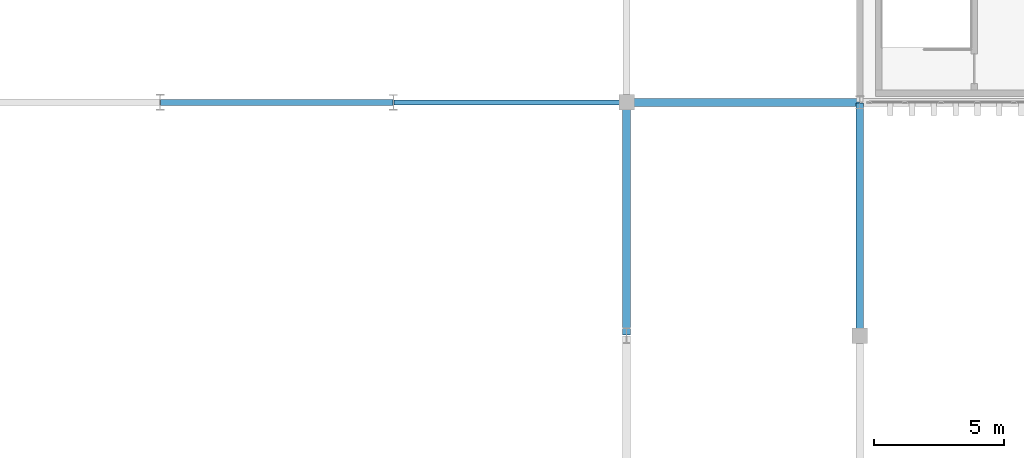
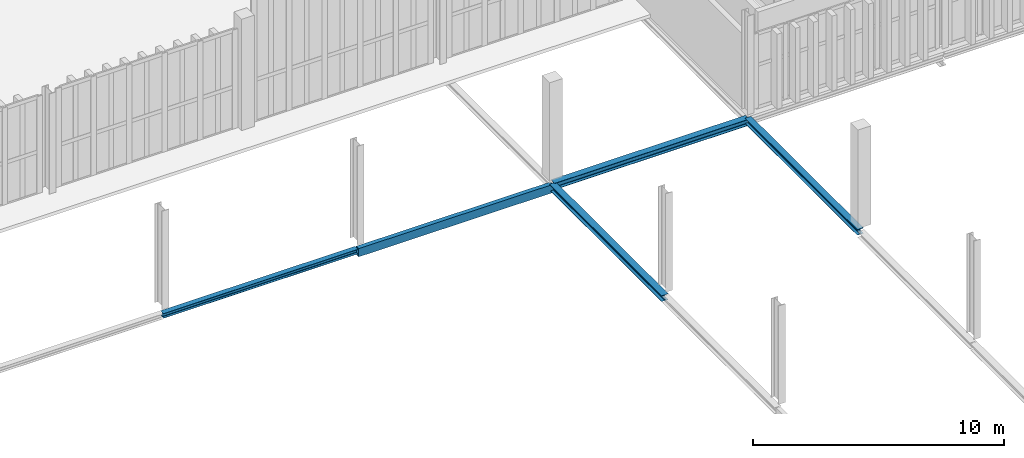
# One storey, part 21 of 196: 5 beams.
"""IFC4 building model written with IfcOpenShell, lengths in metres."""

from ifc_helpers import new_model, si_unit, direction, frame, origin, origin_2d, place, context, subcontext, project, spatial, hollow_rectangle, i_section, extrude, material, material_profile, profile_set, type_object, element, save


model = new_model("IFC4")

# Units and contexts
model_context = context("Model", 3, precision=1e-05, world=origin(), true_north=direction((0.0, 1.0)))
body_context = subcontext(model_context, "Body", "Model", "MODEL_VIEW")
ifc_project = project(units=[si_unit("LENGTHUNIT", "METRE"), si_unit("AREAUNIT", "SQUARE_METRE"), si_unit("VOLUMEUNIT", "CUBIC_METRE"), si_unit("PLANEANGLEUNIT", "RADIAN"), si_unit("MASSUNIT", "GRAM", prefix="KILO")], contexts=[model_context])

# Site, building, storey
site_placement = place(None, origin())
site = spatial("IfcSite", under=ifc_project, at=site_placement, CompositionType="ELEMENT")
building_placement = place(site_placement, origin())
building = spatial("IfcBuilding", under=site, at=building_placement, Name="Barlavento Convention Centre", CompositionType="ELEMENT")
storey_placement = place(building_placement, frame((0.0, 0.0, 18.0)))
storey = spatial("IfcBuildingStorey", under=building, at=storey_placement, Name="L03", CompositionType="ELEMENT", Elevation=18.0)

# Beams
ifc_material = material(Name="Steel S355", Category="steel")
ifc_material_profile_1 = material_profile(ifc_material, i_section(OverallWidth=0.239990234375, OverallDepth=0.22998046875, WebThickness=0.007568359375, FlangeThickness=0.011962890625, FilletRadius=0.02099609375, at=origin_2d()), Name="HEA 240")
ifc_profile_set_1 = profile_set([ifc_material_profile_1], Name="Steel S355")
beam_type_1 = type_object("IfcBeamType", Name="STR-BM-SPN-HEA240", PredefinedType="SPANDREL", material=ifc_profile_set_1)
beam_1_placement = place(storey_placement, frame((36.02001953125, 45.0, -0.47509765625), z_axis=(1.0, 0.0, 0.0), x_axis=(0.0, 1.0, 0.0)))
element("IfcBeam", 1, at=beam_1_placement, inside=storey, type_object=beam_type_1, Name="L03 primary girder SP05", PredefinedType="SPANDREL", context=body_context, shape_type="SweptSolid", body=[
    extrude(i_section(OverallWidth=0.239990234375, OverallDepth=0.22998046875, WebThickness=0.007568359375, FlangeThickness=0.011962890625, FilletRadius=0.02099609375, at=origin_2d()), origin(), (0.0, 0.0, 1.0), 8.9599609375),
])
ifc_material_profile_2 = material_profile(ifc_material, i_section(OverallWidth=0.280029296875, OverallDepth=0.27001953125, WebThickness=0.008056640625, FlangeThickness=0.012939453125, FilletRadius=0.02392578125, at=origin_2d()), Name="HEA 280")
ifc_profile_set_2 = profile_set([ifc_material_profile_2], Name="Steel S355")
beam_type_2 = type_object("IfcBeamType", Name="STR-BM-SPN-HEA280", PredefinedType="SPANDREL", material=ifc_profile_set_2)
beam_2_placement = place(storey_placement, frame((63.0, 36.02001953125, -0.43505859375), z_axis=(0.0, 1.0, 0.0), x_axis=(-1.0, 0.0, 0.0)))
element("IfcBeam", 2, at=beam_2_placement, inside=storey, type_object=beam_type_2, Name="L03 grid girder SP03", PredefinedType="SPANDREL", context=body_context, shape_type="SweptSolid", body=[
    extrude(i_section(OverallWidth=0.280029296875, OverallDepth=0.27001953125, WebThickness=0.008056640625, FlangeThickness=0.012939453125, FilletRadius=0.02392578125, at=origin_2d()), origin(), (0.0, 0.0, 1.0), 8.9599609375),
])
ifc_material_profile_3 = material_profile(ifc_material, i_section(OverallWidth=0.300048828125, OverallDepth=0.2900390625, WebThickness=0.008544921875, FlangeThickness=0.013916015625, FilletRadius=0.027099609375, at=origin_2d()), Name="HEA 300")
ifc_profile_set_3 = profile_set([ifc_material_profile_3], Name="Steel S355")
beam_type_3 = type_object("IfcBeamType", Name="STR-BM-SPN-HEA300", PredefinedType="SPANDREL", material=ifc_profile_set_3)
beam_3_placement = place(storey_placement, frame((54.0, 36.02001953125, -0.5048828125), z_axis=(0.0, 1.0, 0.0), x_axis=(-1.0, 0.0, 0.0)))
element("IfcBeam", 3, at=beam_3_placement, inside=storey, type_object=beam_type_3, Name="L03 grid girder SP02", PredefinedType="SPANDREL", context=body_context, shape_type="SweptSolid", body=[
    extrude(i_section(OverallWidth=0.300048828125, OverallDepth=0.2900390625, WebThickness=0.008544921875, FlangeThickness=0.013916015625, FilletRadius=0.027099609375, at=origin_2d()), origin(), (0.0, 0.0, 1.0), 8.9599609375),
])
ifc_material_profile_4 = material_profile(ifc_material, i_section(OverallWidth=0.300048828125, OverallDepth=0.31005859375, WebThickness=0.009033203125, FlangeThickness=0.015380859375, FilletRadius=0.027099609375, at=origin_2d()), Name="HEA 320")
ifc_profile_set_4 = profile_set([ifc_material_profile_4], Name="Steel S355")
beam_type_4 = type_object("IfcBeamType", Name="STR-BM-SPN-HEA320", PredefinedType="SPANDREL", material=ifc_profile_set_4)
beam_4_placement = place(storey_placement, frame((54.02001953125, 45.0, -0.455078125), z_axis=(1.0, 0.0, 0.0), x_axis=(0.0, 1.0, 0.0)))
element("IfcBeam", 4, at=beam_4_placement, inside=storey, type_object=beam_type_4, Name="L03 primary girder SP01", PredefinedType="SPANDREL", context=body_context, shape_type="SweptSolid", body=[
    extrude(i_section(OverallWidth=0.300048828125, OverallDepth=0.31005859375, WebThickness=0.009033203125, FlangeThickness=0.015380859375, FilletRadius=0.027099609375, at=origin_2d()), origin(), (0.0, 0.0, 1.0), 8.9599609375),
])
ifc_material_profile_5 = material_profile(ifc_material, hollow_rectangle(XDim=0.199951171875, YDim=0.39990234375, WallThickness=0.01611328125, at=origin_2d()), Name="RHS 400x200x16.0")
ifc_profile_set_5 = profile_set([ifc_material_profile_5], Name="Steel S355")
beam_type_5 = type_object("IfcBeamType", Name="STR-BM-SPN-RHS400", PredefinedType="SPANDREL", material=ifc_profile_set_5)
beam_5_placement = place(storey_placement, frame((45.02001953125, 45.0, -0.56005859375), z_axis=(1.0, 0.0, 0.0), x_axis=(0.0, 1.0, 0.0)))
element("IfcBeam", 5, at=beam_5_placement, inside=storey, type_object=beam_type_5, Name="L03 primary girder SP06", PredefinedType="SPANDREL", context=body_context, shape_type="SweptSolid", body=[
    extrude(hollow_rectangle(XDim=0.199951171875, YDim=0.39990234375, WallThickness=0.01611328125, at=origin_2d()), origin(), (0.0, 0.0, 1.0), 8.9599609375),
])

save(model, "model.ifc")
